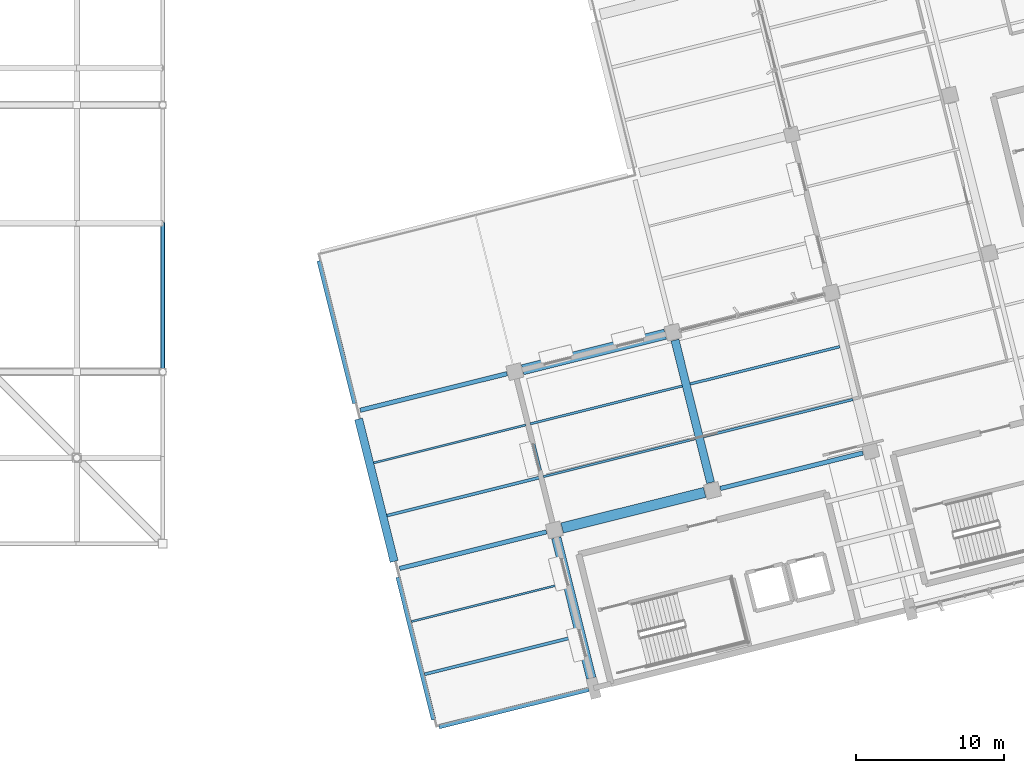
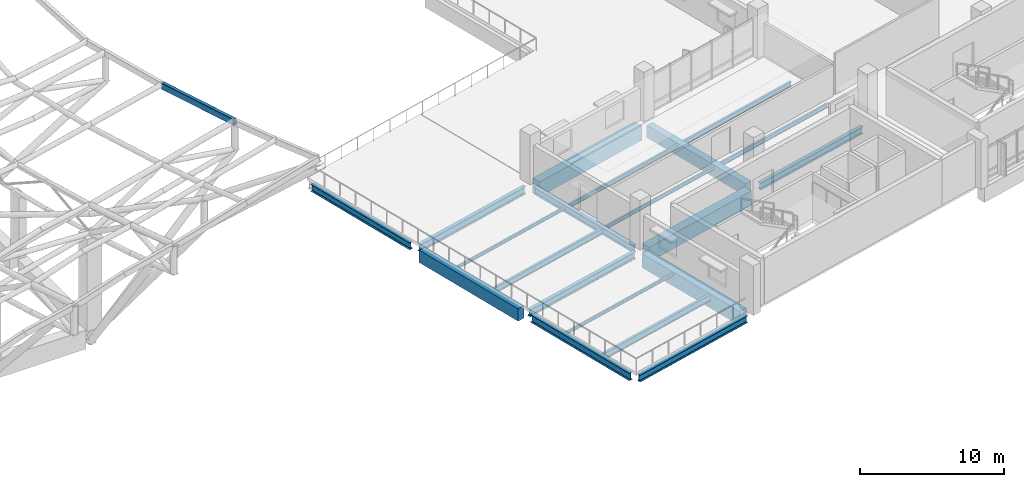
# One storey, part 23 of 75: 21 beams.
"""IFC4 building model written with IfcOpenShell, lengths in metres."""

from ifc_helpers import new_model, si_unit, direction, frame, origin, origin_2d, place, context, subcontext, project, spatial, rectangle, hollow_rectangle, i_section, extrude, material, material_profile, profile_set, type_object, element, save


model = new_model("IFC4")

# Units and contexts
model_context = context("Model", 3, precision=1e-05, world=origin(), true_north=direction((0.0, 1.0)))
body_context = subcontext(model_context, "Body", "Model", "MODEL_VIEW")
ifc_project = project(units=[si_unit("LENGTHUNIT", "METRE"), si_unit("AREAUNIT", "SQUARE_METRE"), si_unit("VOLUMEUNIT", "CUBIC_METRE"), si_unit("PLANEANGLEUNIT", "RADIAN"), si_unit("MASSUNIT", "GRAM", prefix="KILO")], contexts=[model_context])

# Site, building, storey
site_placement = place(None, origin())
site = spatial("IfcSite", under=ifc_project, at=site_placement, CompositionType="ELEMENT")
building_placement = place(site_placement, origin())
building = spatial("IfcBuilding", under=site, at=building_placement, Name="Khorjan Park Terminus", CompositionType="ELEMENT")
storey_placement = place(building_placement, frame((0.0, 0.0, 16.2)))
storey = spatial("IfcBuildingStorey", under=building, at=storey_placement, Name="L03", CompositionType="ELEMENT", Elevation=16.2)

# Beams
ifc_material_1 = material(Name="Steel S355", Category="steel")
ifc_material_profile_1 = material_profile(ifc_material_1, i_section(OverallWidth=0.3, OverallDepth=0.59, WebThickness=0.013, FlangeThickness=0.025, FilletRadius=0.027, at=origin_2d()), Name="HEA 600")
ifc_profile_set_1 = profile_set([ifc_material_profile_1], Name="Steel S355")
beam_type_1 = type_object("IfcBeamType", Name="BM-HEA600", PredefinedType="BEAM", material=ifc_profile_set_1)
beam_1_placement = place(storey_placement, frame((166.2377, 2.0593, -0.565), z_axis=(0.970296003428, 0.241920784001, 0.0), x_axis=(-0.241920784001, 0.970296003428, 0.0)))
element("IfcBeam", 1, at=beam_1_placement, inside=storey, type_object=beam_type_1, Name="Primary skew-grid floor girder SB-A60 (L03)", PredefinedType="BEAM", context=body_context, shape_type="SweptSolid", body=[
    extrude(i_section(OverallWidth=0.3, OverallDepth=0.59, WebThickness=0.013, FlangeThickness=0.025, FilletRadius=0.027, at=origin_2d()), origin(), (0.0, 0.0, 1.0), 10.41),
])
for number, where, z_axis, x_axis, name in (
    (2, (185.2142, 18.1274, -0.645), (0.970296634521, 0.241918252798, 0.0), (-0.241918252798, 0.970296634521, 0.0), "Primary skew-grid floor girder SB-A60 (L03)"),
    (3, (173.8803, 15.8632, -0.645), (-0.24192775306, 0.970294265828, 0.0), (-0.970294265828, -0.24192775306, 0.0), "Primary skew-grid floor girder SB-A60 (L03)"),
):
    element("IfcBeam", number, at=place(storey_placement, frame(where, z_axis=z_axis, x_axis=x_axis)), inside=storey, type_object=beam_type_1, Name=name, PredefinedType="BEAM", context=body_context, shape_type="SweptSolid", body=[
        extrude(i_section(OverallWidth=0.3, OverallDepth=0.59, WebThickness=0.013, FlangeThickness=0.025, FilletRadius=0.027, at=origin_2d()), origin(), (0.0, 0.0, 1.0), 9.91),
    ])
ifc_material_profile_2 = material_profile(ifc_material_1, i_section(OverallWidth=0.3, OverallDepth=0.64, WebThickness=0.0135, FlangeThickness=0.026, FilletRadius=0.027, at=origin_2d()), Name="HEA 650")
ifc_profile_set_2 = profile_set([ifc_material_profile_2], Name="Steel S355")
beam_type_2 = type_object("IfcBeamType", Name="BM-HEA650", PredefinedType="BEAM", material=ifc_profile_set_2)
beam_2_placement = place(storey_placement, frame((160.9154, 23.4058, -0.59), z_axis=(0.970296707014, 0.241917962039, 0.0), x_axis=(-0.241917962039, 0.970296707014, 0.0)))
element("IfcBeam", 4, at=beam_2_placement, inside=storey, type_object=beam_type_2, Name="Primary skew-grid floor girder SB-A65 (L03)", PredefinedType="BEAM", context=body_context, shape_type="SweptSolid", body=[
    extrude(i_section(OverallWidth=0.3, OverallDepth=0.64, WebThickness=0.0135, FlangeThickness=0.026, FilletRadius=0.027, at=origin_2d()), origin(), (0.0, 0.0, 1.0), 10.2101),
])
beam_3_placement = place(storey_placement, frame((165.8682, 2.5288, -0.59), z_axis=(-0.24192775306, 0.970294265828, 0.0), x_axis=(-0.970294265828, -0.24192775306, 0.0)))
element("IfcBeam", 5, at=beam_3_placement, inside=storey, type_object=beam_type_2, Name="Primary skew-grid floor girder SB-A65 (L03)", PredefinedType="BEAM", context=body_context, shape_type="SweptSolid", body=[
    extrude(i_section(OverallWidth=0.3, OverallDepth=0.64, WebThickness=0.0135, FlangeThickness=0.026, FilletRadius=0.027, at=origin_2d()), origin(), (0.0, 0.0, 1.0), 9.91),
])
ifc_material_profile_3 = material_profile(ifc_material_1, i_section(OverallWidth=0.3, OverallDepth=0.6, WebThickness=0.0155, FlangeThickness=0.03, FilletRadius=0.027, at=origin_2d()), Name="HEB 600")
ifc_profile_set_3 = profile_set([ifc_material_profile_3], Name="Steel S355")
beam_type_3 = type_object("IfcBeamType", Name="BM-HEB600", PredefinedType="BEAM", material=ifc_profile_set_3)
beam_4_placement = place(storey_placement, frame((163.5766, 12.7325, -0.57), z_axis=(0.970296133805, 0.241920261086, 0.0), x_axis=(-0.241920261086, 0.970296133805, 0.0)))
element("IfcBeam", 6, at=beam_4_placement, inside=storey, type_object=beam_type_3, Name="Primary skew-grid floor girder SB-B60 (L03)", PredefinedType="BEAM", context=body_context, shape_type="SweptSolid", body=[
    extrude(i_section(OverallWidth=0.3, OverallDepth=0.6, WebThickness=0.0155, FlangeThickness=0.03, FilletRadius=0.027, at=origin_2d()), origin(), (0.0, 0.0, 1.0), 10.21),
])
beam_5_placement = place(storey_placement, frame((160.5459, 23.8753, -0.57), z_axis=(-0.24192775306, 0.970294265828, 0.0), x_axis=(-0.970294265828, -0.24192775306, 0.0)))
element("IfcBeam", 7, at=beam_5_placement, inside=storey, type_object=beam_type_3, Name="Primary skew-grid floor girder SB-B60 (L03)", PredefinedType="BEAM", context=body_context, shape_type="SweptSolid", body=[
    extrude(i_section(OverallWidth=0.3, OverallDepth=0.6, WebThickness=0.0155, FlangeThickness=0.03, FilletRadius=0.027, at=origin_2d()), origin(), (0.0, 0.0, 1.0), 9.91),
])
ifc_material_2 = material(Name="Concrete C40/50", Category="concrete")
ifc_material_profile_4 = material_profile(ifc_material_2, rectangle(XDim=0.55, YDim=1.05, at=origin_2d()), Name="RC 550x1050")
ifc_profile_set_4 = profile_set([ifc_material_profile_4], Name="Concrete C40/50")
beam_type_4 = type_object("IfcBeamType", Name="BM-RC550x1050", PredefinedType="BEAM", material=ifc_profile_set_4)
beam_6_placement = place(storey_placement, frame((163.207, 13.2021, -0.795), z_axis=(-0.241918252798, 0.970296634521, 0.0), x_axis=(-0.970296634521, -0.241918252798, 0.0)))
element("IfcBeam", 8, at=beam_6_placement, inside=storey, type_object=beam_type_4, Name="Primary skew-grid floor girder GB-105 (L03)", PredefinedType="BEAM", context=body_context, shape_type="SweptSolid", body=[
    extrude(rectangle(XDim=0.55, YDim=1.05, at=origin_2d()), origin(), (0.0, 0.0, 1.0), 9.91),
])
beam_7_placement = place(storey_placement, frame((184.5535, 18.5243, -0.875), z_axis=(-0.241915884168, 0.970297225074, 0.0), x_axis=(-0.970297225074, -0.241915884168, 0.0)))
element("IfcBeam", 9, at=beam_7_placement, inside=storey, type_object=beam_type_4, Name="Primary skew-grid floor girder GB-105 (L03)", PredefinedType="BEAM", context=body_context, shape_type="SweptSolid", body=[
    extrude(rectangle(XDim=0.55, YDim=1.05, at=origin_2d()), origin(), (0.0, 0.0, 1.0), 9.9101),
])
ifc_material_profile_5 = material_profile(ifc_material_2, rectangle(XDim=0.65, YDim=1.2, at=origin_2d()), Name="RC 650x1200")
ifc_profile_set_5 = profile_set([ifc_material_profile_5], Name="Concrete C40/50")
beam_type_5 = type_object("IfcBeamType", Name="BM-RC650x1200", PredefinedType="BEAM", material=ifc_profile_set_5)
beam_8_placement = place(storey_placement, frame((176.5051, 5.3355, -0.95), z_axis=(-0.241915999835, 0.970297196236, 0.0), x_axis=(-0.970297196236, -0.241915999835, 0.0)))
element("IfcBeam", 10, at=beam_8_placement, inside=storey, type_object=beam_type_5, Name="Primary skew-grid floor girder GB-12 (L03)", PredefinedType="BEAM", context=body_context, shape_type="SweptSolid", body=[
    extrude(rectangle(XDim=0.65, YDim=1.2, at=origin_2d()), origin(), (0.0, 0.0, 1.0), 9.76),
])
ifc_material_profile_6 = material_profile(ifc_material_2, rectangle(XDim=0.7, YDim=1.25, at=origin_2d()), Name="RC 700x1250")
ifc_profile_set_6 = profile_set([ifc_material_profile_6], Name="Concrete C40/50")
beam_type_6 = type_object("IfcBeamType", Name="BM-RC700x1250", PredefinedType="BEAM", material=ifc_profile_set_6)
beam_9_placement = place(storey_placement, frame((174.5409, 15.4662, -0.975), z_axis=(0.970294856426, 0.241925384349, 0.0), x_axis=(-0.241925384349, 0.970294856426, 0.0)))
element("IfcBeam", 11, at=beam_9_placement, inside=storey, type_object=beam_type_6, Name="Primary skew-grid floor girder GB-125 (L03)", PredefinedType="BEAM", context=body_context, shape_type="SweptSolid", body=[
    extrude(rectangle(XDim=0.7, YDim=1.25, at=origin_2d()), origin(), (0.0, 0.0, 1.0), 9.9101),
])
beam_10_placement = place(storey_placement, frame((171.8798, 26.1395, -0.975), z_axis=(0.970296634521, 0.241918252798, 0.0), x_axis=(-0.241918252798, 0.970296634521, 0.0)))
element("IfcBeam", 12, at=beam_10_placement, inside=storey, type_object=beam_type_6, Name="Primary skew-grid floor girder GB-125 (L03)", PredefinedType="BEAM", context=body_context, shape_type="SweptSolid", body=[
    extrude(rectangle(XDim=0.7, YDim=1.25, at=origin_2d()), origin(), (0.0, 0.0, 1.0), 9.91),
])
ifc_material_profile_7 = material_profile(ifc_material_1, i_section(OverallWidth=0.135, OverallDepth=0.27, WebThickness=0.0066, FlangeThickness=0.0102, FilletRadius=0.015, at=origin_2d()), Name="IPE 270")
ifc_profile_set_7 = profile_set([ifc_material_profile_7], Name="Steel S355")
beam_type_7 = type_object("IfcBeamType", Name="JS-IPE270", PredefinedType="JOIST", material=ifc_profile_set_7)
beam_11_placement = place(storey_placement, frame((164.3715, 9.1518, -0.485), z_axis=(0.970296002015, 0.241920789668, 0.0), x_axis=(-0.241920789668, 0.970296002015, 0.0)))
element("IfcBeam", 13, at=beam_11_placement, inside=storey, type_object=beam_type_7, Name="Secondary composite floor joist SJ-27 (L03)", PredefinedType="JOIST", context=body_context, shape_type="SweptSolid", body=[
    extrude(i_section(OverallWidth=0.135, OverallDepth=0.27, WebThickness=0.0066, FlangeThickness=0.0102, FilletRadius=0.015, at=origin_2d()), origin(), (0.0, 0.0, 1.0), 10.5249),
])
beam_12_placement = place(storey_placement, frame((161.8316, 19.8553, -0.485), z_axis=(0.970296385626, 0.241919251074, 0.0), x_axis=(-0.241919251074, 0.970296385626, 0.0)))
element("IfcBeam", 14, at=beam_12_placement, inside=storey, type_object=beam_type_7, Name="Secondary composite floor joist SJ-27 (L03)", PredefinedType="JOIST", context=body_context, shape_type="SweptSolid", body=[
    extrude(i_section(OverallWidth=0.135, OverallDepth=0.27, WebThickness=0.0066, FlangeThickness=0.0102, FilletRadius=0.015, at=origin_2d()), origin(), (0.0, 0.0, 1.0), 10.575),
])
ifc_material_profile_8 = material_profile(ifc_material_1, i_section(OverallWidth=0.15, OverallDepth=0.3, WebThickness=0.0071, FlangeThickness=0.0107, FilletRadius=0.015, at=origin_2d()), Name="IPE 300")
ifc_profile_set_8 = profile_set([ifc_material_profile_8], Name="Steel S355")
beam_type_8 = type_object("IfcBeamType", Name="JS-IPE300", PredefinedType="JOIST", material=ifc_profile_set_8)
beam_13_placement = place(storey_placement, frame((173.2706, 18.9285, -0.5), z_axis=(0.970296385626, 0.241919251074, 0.0), x_axis=(-0.241919251074, 0.970296385626, 0.0)))
element("IfcBeam", 15, at=beam_13_placement, inside=storey, type_object=beam_type_8, Name="Secondary composite floor joist SJ-30 (L03)", PredefinedType="JOIST", context=body_context, shape_type="SweptSolid", body=[
    extrude(i_section(OverallWidth=0.15, OverallDepth=0.3, WebThickness=0.0071, FlangeThickness=0.0107, FilletRadius=0.015, at=origin_2d()), origin(), (0.0, 0.0, 1.0), 10.575),
])
ifc_material_profile_9 = material_profile(ifc_material_1, i_section(OverallWidth=0.16, OverallDepth=0.33, WebThickness=0.0075, FlangeThickness=0.0115, FilletRadius=0.018, at=origin_2d()), Name="IPE 330")
ifc_profile_set_9 = profile_set([ifc_material_profile_9], Name="Steel S355")
beam_type_9 = type_object("IfcBeamType", Name="JS-IPE330", PredefinedType="JOIST", material=ifc_profile_set_9)
beam_14_placement = place(storey_placement, frame((172.3836, 22.4862, -0.515), z_axis=(0.970295832192, 0.241921470792, 0.0), x_axis=(-0.241921470792, 0.970295832192, 0.0)))
element("IfcBeam", 16, at=beam_14_placement, inside=storey, type_object=beam_type_9, Name="Secondary composite floor joist SJ-33 (L03)", PredefinedType="JOIST", context=body_context, shape_type="SweptSolid", body=[
    extrude(i_section(OverallWidth=0.16, OverallDepth=0.33, WebThickness=0.0075, FlangeThickness=0.0115, FilletRadius=0.018, at=origin_2d()), origin(), (0.0, 0.0, 1.0), 10.5749),
])
ifc_material_profile_10 = material_profile(ifc_material_1, i_section(OverallWidth=0.17, OverallDepth=0.36, WebThickness=0.008, FlangeThickness=0.0127, FilletRadius=0.018, at=origin_2d()), Name="IPE 360")
ifc_profile_set_10 = profile_set([ifc_material_profile_10], Name="Steel S355")
beam_type_10 = type_object("IfcBeamType", Name="JS-IPE360", PredefinedType="JOIST", material=ifc_profile_set_10)
beam_15_placement = place(storey_placement, frame((184.0651, 21.6198, -0.53), z_axis=(0.970295586552, 0.241922456002, 0.0), x_axis=(-0.241922456002, 0.970295586552, 0.0)))
element("IfcBeam", 17, at=beam_15_placement, inside=storey, type_object=beam_type_10, Name="Secondary composite floor joist SJ-36 (L03)", PredefinedType="JOIST", context=body_context, shape_type="SweptSolid", body=[
    extrude(i_section(OverallWidth=0.17, OverallDepth=0.36, WebThickness=0.008, FlangeThickness=0.0127, FilletRadius=0.018, at=origin_2d()), origin(), (0.0, 0.0, 1.0), 10.4),
])
ifc_material_profile_11 = material_profile(ifc_material_1, i_section(OverallWidth=0.18, OverallDepth=0.4, WebThickness=0.0086, FlangeThickness=0.0135, FilletRadius=0.021, at=origin_2d()), Name="IPE 400")
ifc_profile_set_11 = profile_set([ifc_material_profile_11], Name="Steel S355")
beam_type_11 = type_object("IfcBeamType", Name="JS-IPE400", PredefinedType="JOIST", material=ifc_profile_set_11)
beam_16_placement = place(storey_placement, frame((183.1781, 25.1775, -0.55), z_axis=(0.970295586552, 0.241922456002, 0.0), x_axis=(-0.241922456002, 0.970295586552, 0.0)))
element("IfcBeam", 18, at=beam_16_placement, inside=storey, type_object=beam_type_11, Name="Secondary composite floor joist SJ-40 (L03)", PredefinedType="JOIST", context=body_context, shape_type="SweptSolid", body=[
    extrude(i_section(OverallWidth=0.18, OverallDepth=0.4, WebThickness=0.0086, FlangeThickness=0.0135, FilletRadius=0.021, at=origin_2d()), origin(), (0.0, 0.0, 1.0), 10.4),
])
ifc_material_profile_12 = material_profile(ifc_material_1, i_section(OverallWidth=0.2, OverallDepth=0.5, WebThickness=0.0102, FlangeThickness=0.016, FilletRadius=0.021, at=origin_2d()), Name="IPE 500")
ifc_profile_set_12 = profile_set([ifc_material_profile_12], Name="Steel S355")
beam_type_12 = type_object("IfcBeamType", Name="JS-IPE500", PredefinedType="JOIST", material=ifc_profile_set_12)
beam_17_placement = place(storey_placement, frame((162.7186, 16.2976, -0.6), z_axis=(0.970296385626, 0.241919251074, 0.0), x_axis=(-0.241919251074, 0.970296385626, 0.0)))
element("IfcBeam", 19, at=beam_17_placement, inside=storey, type_object=beam_type_12, Name="Secondary composite floor joist SJ-50 (L03)", PredefinedType="JOIST", context=body_context, shape_type="SweptSolid", body=[
    extrude(i_section(OverallWidth=0.2, OverallDepth=0.5, WebThickness=0.0102, FlangeThickness=0.016, FilletRadius=0.021, at=origin_2d()), origin(), (0.0, 0.0, 1.0), 10.575),
])
ifc_material_profile_13 = material_profile(ifc_material_1, i_section(OverallWidth=0.21, OverallDepth=0.55, WebThickness=0.0111, FlangeThickness=0.0172, FilletRadius=0.024, at=origin_2d()), Name="IPE 550")
ifc_profile_set_13 = profile_set([ifc_material_profile_13], Name="Steel S355")
beam_type_13 = type_object("IfcBeamType", Name="JS-IPE550", PredefinedType="JOIST", material=ifc_profile_set_13)
beam_18_placement = place(storey_placement, frame((165.2585, 5.5941, -0.625), z_axis=(0.970296558074, 0.241918559415, 0.0), x_axis=(-0.241918559415, 0.970296558074, 0.0)))
element("IfcBeam", 20, at=beam_18_placement, inside=storey, type_object=beam_type_13, Name="Secondary composite floor joist SJ-55 (L03)", PredefinedType="JOIST", context=body_context, shape_type="SweptSolid", body=[
    extrude(i_section(OverallWidth=0.21, OverallDepth=0.55, WebThickness=0.0111, FlangeThickness=0.0172, FilletRadius=0.024, at=origin_2d()), origin(), (0.0, 0.0, 1.0), 10.525),
])
ifc_material_profile_14 = material_profile(ifc_material_1, hollow_rectangle(XDim=0.3, YDim=0.5, WallThickness=0.016, InnerFilletRadius=0.016, OuterFilletRadius=0.032, at=origin_2d()), Name="RHS 500x300x16")
ifc_profile_set_14 = profile_set([ifc_material_profile_14], Name="Steel S355")
beam_type_14 = type_object("IfcBeamType", Name="SP-RHS500", PredefinedType="SPANDREL", material=ifc_profile_set_14)
beam_19_placement = place(storey_placement, frame((147.6, 26.0, 13.1929), z_axis=(0.0, 0.958512081218, -0.285051907833), x_axis=(-1.0, 0.0, 0.0)))
element("IfcBeam", 21, at=beam_19_placement, inside=storey, type_object=beam_type_14, Name="Upper folded shell upturned perimeter edge beam SP-R50 (65)", PredefinedType="SPANDREL", context=body_context, shape_type="SweptSolid", body=[
    extrude(hollow_rectangle(XDim=0.3, YDim=0.5, WallThickness=0.016, InnerFilletRadius=0.016, OuterFilletRadius=0.032, at=origin_2d()), origin(), (0.0, 0.0, 1.0), 10.4328),
])

save(model, "model.ifc")
